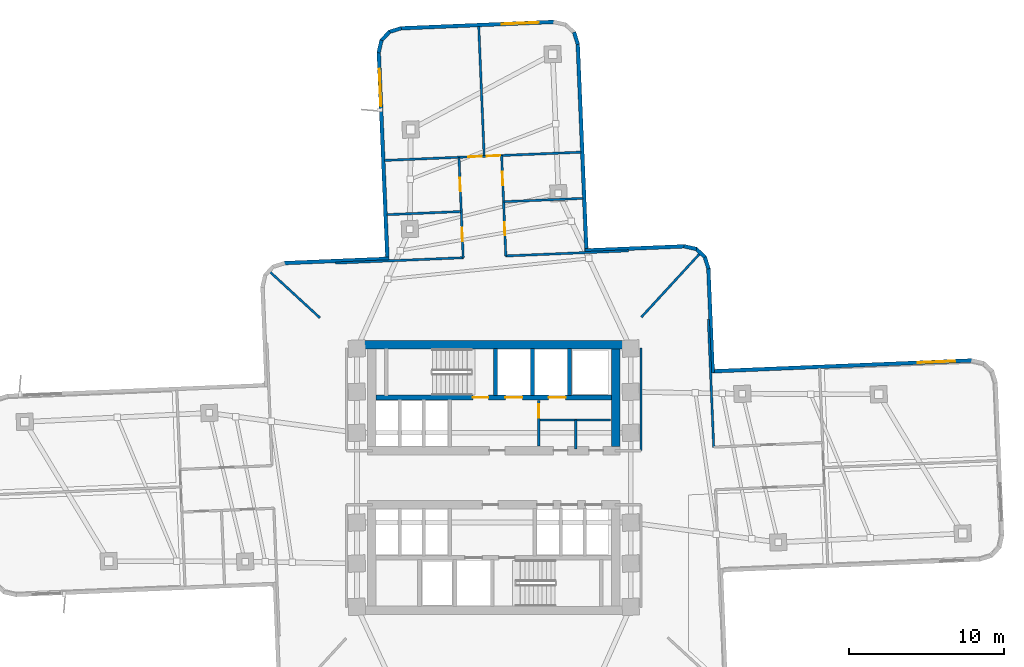
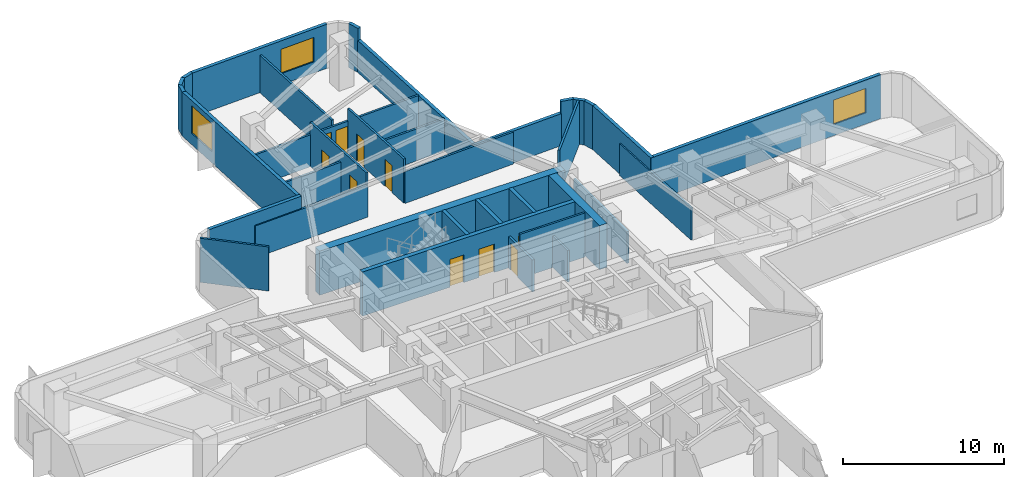
# One storey, part 5 of 10: 35 walls, 10 doors, 3 windows, 13 openings.
"""IFC4 building model written with IfcOpenShell, lengths in metres."""

from ifc_helpers import new_model, si_unit, direction, frame, frame_2d, origin, place, context, subcontext, project, spatial, rectangle, extrude, material, layer, layer_set, type_object, element, fill, save


model = new_model("IFC4")

# Units and contexts
model_context = context("Model", 3, precision=1e-05, world=origin(), true_north=direction((0.0, 1.0)))
body_context = subcontext(model_context, "Body", "Model", "MODEL_VIEW")
ifc_project = project(units=[si_unit("LENGTHUNIT", "METRE"), si_unit("AREAUNIT", "SQUARE_METRE"), si_unit("VOLUMEUNIT", "CUBIC_METRE"), si_unit("PLANEANGLEUNIT", "RADIAN"), si_unit("MASSUNIT", "GRAM", prefix="KILO")], contexts=[model_context])

# Site, building, storey
site_placement = place(None, origin())
site = spatial("IfcSite", under=ifc_project, at=site_placement, CompositionType="ELEMENT")
building_placement = place(site_placement, origin())
building = spatial("IfcBuilding", under=site, at=building_placement, Name="Solmarez Civic Tower", CompositionType="ELEMENT")
storey_placement = place(building_placement, frame((0.0, 0.0, 42.47998046875)))
storey = spatial("IfcBuildingStorey", under=building, at=storey_placement, Name="L10", CompositionType="ELEMENT", Elevation=42.47998046875)

# Walls
ifc_material_1 = material(Name="Concrete C60/75", Category="concrete")
ifc_layer_1 = layer(ifc_material_1, 0.550048828125)
ifc_layer_set_1 = layer_set([ifc_layer_1], Name="Concrete C60/75")
wall_type_1 = type_object("IfcWallType", Name="WALL-CORE-550", PredefinedType="SHEAR", material=ifc_layer_set_1)
wall_1_placement = place(storey_placement, frame((-8.780029296875, 8.5849609375, 0.0), z_axis=(0.0, 0.0, 1.0), x_axis=(1.0, 0.0, 0.0)))
element("IfcWall", 1, at=wall_1_placement, inside=storey, type_object=wall_type_1, Name="L10 Split-Core Structural Wall NCW-N-L10", PredefinedType="SHEAR", context=body_context, shape_type="SweptSolid", body=[
    extrude(rectangle(XDim=17.56005859375, YDim=0.550048828125, at=frame_2d((8.780029296875, 0.0))), origin(), (0.0, 0.0, 1.0), 3.340087890625),
])
wall_2_placement = place(storey_placement, frame((7.89501953125, 8.31005859375, 0.0), z_axis=(0.0, 0.0, 1.0), x_axis=(0.0, -1.0, 0.0)))
element("IfcWall", 2, at=wall_2_placement, inside=storey, type_object=wall_type_1, Name="L10 Split-Core Structural Wall NCW-E-L10", PredefinedType="SHEAR", context=body_context, shape_type="SweptSolid", body=[
    extrude(rectangle(XDim=6.28515625, YDim=0.550048828125, at=frame_2d((3.142578125, 0.0))), origin(), (0.0, 0.0, 1.0), 3.340087890625),
])
ifc_material_2 = material(Name="Precast concrete C40/50", Category="concrete")
ifc_layer_2 = layer(ifc_material_2, 0.239990234375)
ifc_layer_set_2 = layer_set([ifc_layer_2], Name="Precast concrete C40/50")
wall_type_2 = type_object("IfcWallType", Name="WALL-EXT-240", PredefinedType="SOLIDWALL", material=ifc_layer_set_2)
wall_3_placement = place(storey_placement, frame((-13.552001953125, 13.875, 0.0), z_axis=(0.0, 0.0, 1.0), x_axis=(0.999127443157, 0.041765444226, 0.0)))
element("IfcWall", 3, at=wall_3_placement, inside=storey, type_object=wall_type_2, Name="L10 Exterior Precast Wall 17", PredefinedType="SOLIDWALL", context=body_context, shape_type="SweptSolid", body=[
    extrude(rectangle(XDim=6.77490234375, YDim=0.239990234375, at=frame_2d((3.387451171875, 0.0))), origin(), (0.0, 0.0, 1.0), 3.340087890625),
])

# Wall, opening, window
wall_4_placement = place(storey_placement, frame((-6.875, 14.05810546875, 0.0), z_axis=(0.0, 0.0, 1.0), x_axis=(-0.041850586852, 0.999123880397, 0.0)))
wall_4 = element("IfcWall", 4, at=wall_4_placement, inside=storey, type_object=wall_type_2, Name="L10 Exterior Precast Wall 20", PredefinedType="SOLIDWALL", context=body_context, shape_type="SweptSolid", body=[
    extrude(rectangle(XDim=13.4755859375, YDim=0.239990234375, at=frame_2d((6.73779296875, 0.0))), origin(), (0.0, 0.0, 1.0), 3.340087890625),
])
opening_1_placement = place(wall_4_placement, frame((9.97607421875, 0.0, 0.85009765625)))
opening_1 = element("IfcOpeningElement", 5, at=opening_1_placement, cuts=wall_4, Name="Opening W-02", PredefinedType="OPENING", context=body_context, shape_type="SweptSolid", body=[
    extrude(rectangle(XDim=2.39990234375, YDim=2.10009765625, at=frame_2d((1.199951171875, 1.050048828125))), frame((0.0, 0.1298828125, 0.0), z_axis=(0.0, -1.0, 0.0), x_axis=(1.0, 0.0, 0.0)), (0.0, 0.0, 1.0), 0.260009765625),
])
ifc_material_3 = material(Name="Solar Control Bronze-Tinted Insulating Glass", Category="glass")
window_type_1 = type_object("IfcWindowType", Name="WIN-2400X2100", PartitioningType="SINGLE_PANEL", PredefinedType="WINDOW", material=ifc_material_3)
window_1_placement = place(opening_1_placement, origin())
window_1 = element("IfcWindow", 6, at=window_1_placement, inside=storey, type_object=window_type_1, Name="L10 Exterior Facade Window 20", OverallHeight=2.10009765625, OverallWidth=2.39990234375, PartitioningType="SINGLE_PANEL", PredefinedType="WINDOW", context=body_context, shape_type="SweptSolid", body=[
    extrude(rectangle(XDim=2.39990234375, YDim=2.10009765625, at=frame_2d((1.199951171875, 1.050048828125))), frame((0.0, 0.030029296875, 0.0), z_axis=(0.0, -1.0, 0.0), x_axis=(1.0, 0.0, 0.0)), (0.0, 0.0, 1.0), 0.06005859375),
])
fill(opening_1, window_1)

# Walls
wall_5_placement = place(storey_placement, frame((-7.443115234375, 27.472900390625, 0.0), z_axis=(0.0, 0.0, 1.0), x_axis=(0.21736704137, 0.976089939158, 0.0)))
element("IfcWall", 7, at=wall_5_placement, inside=storey, type_object=wall_type_2, Name="L10 Exterior Precast Wall 21", PredefinedType="SOLIDWALL", context=body_context, shape_type="SweptSolid", body=[
    extrude(rectangle(XDim=0.828857421875, YDim=0.239990234375, at=frame_2d((0.41455078125, 0.0))), origin(), (0.0, 0.0, 1.0), 3.340087890625),
])
wall_6_placement = place(storey_placement, frame((-7.284912109375, 28.239990234375, 0.0), z_axis=(0.0, 0.0, 1.0), x_axis=(0.676946063044, 0.73603262681, 0.0)))
element("IfcWall", 8, at=wall_6_placement, inside=storey, type_object=wall_type_2, Name="L10 Exterior Precast Wall 22", PredefinedType="SOLIDWALL", context=body_context, shape_type="SweptSolid", body=[
    extrude(rectangle(XDim=0.81396484375, YDim=0.239990234375, at=frame_2d((0.406982421875, 0.0))), origin(), (0.0, 0.0, 1.0), 3.340087890625),
])
wall_7_placement = place(storey_placement, frame((-6.77490234375, 28.81396484375, 0.0), z_axis=(0.0, 0.0, 1.0), x_axis=(0.954730695464, 0.297471509794, 0.0)))
element("IfcWall", 9, at=wall_7_placement, inside=storey, type_object=wall_type_2, Name="L10 Exterior Precast Wall 23", PredefinedType="SOLIDWALL", context=body_context, shape_type="SweptSolid", body=[
    extrude(rectangle(XDim=0.83056640625, YDim=0.239990234375, at=frame_2d((0.415283203125, 0.0))), origin(), (0.0, 0.0, 1.0), 3.340087890625),
])

# Wall, opening, window
wall_8_placement = place(storey_placement, frame((-6.031005859375, 29.052978515625, 0.0), z_axis=(0.0, 0.0, 1.0), x_axis=(0.999123553269, 0.041858395859, 0.0)))
wall_8 = element("IfcWall", 10, at=wall_8_placement, inside=storey, type_object=wall_type_2, Name="L10 Exterior Precast Wall 24", PredefinedType="SOLIDWALL", context=body_context, shape_type="SweptSolid", body=[
    extrude(rectangle(XDim=9.938720703125, YDim=0.239990234375, at=frame_2d((4.96923828125, 0.0))), origin(), (0.0, 0.0, 1.0), 3.340087890625),
])
opening_2_placement = place(wall_8_placement, frame((6.552001953125, 0.0, 0.85009765625)))
opening_2 = element("IfcOpeningElement", 11, at=opening_2_placement, cuts=wall_8, Name="Opening W-06", PredefinedType="OPENING", context=body_context, shape_type="SweptSolid", body=[
    extrude(rectangle(XDim=2.39990234375, YDim=1.85009765625, at=frame_2d((1.199951171875, 0.925048828125))), frame((0.0, 0.1298828125, 0.0), z_axis=(0.0, -1.0, 0.0), x_axis=(1.0, 0.0, 0.0)), (0.0, 0.0, 1.0), 0.260009765625),
])
window_type_2 = type_object("IfcWindowType", Name="WIN-2400X1850", PartitioningType="SINGLE_PANEL", PredefinedType="WINDOW", material=ifc_material_3)
window_2_placement = place(opening_2_placement, origin())
window_2 = element("IfcWindow", 12, at=window_2_placement, inside=storey, type_object=window_type_2, Name="L10 Exterior Facade Window 24", OverallHeight=1.85009765625, OverallWidth=2.39990234375, PartitioningType="SINGLE_PANEL", PredefinedType="WINDOW", context=body_context, shape_type="SweptSolid", body=[
    extrude(rectangle(XDim=2.39990234375, YDim=1.85009765625, at=frame_2d((1.199951171875, 0.925048828125))), frame((0.0, 0.030029296875, 0.0), z_axis=(0.0, -1.0, 0.0), x_axis=(1.0, 0.0, 0.0)), (0.0, 0.0, 1.0), 0.06005859375),
])
fill(opening_2, window_2)

# Walls
wall_9_placement = place(storey_placement, frame((5.18994140625, 28.804931640625, 0.0), z_axis=(0.0, 0.0, 1.0), x_axis=(0.298542680168, -0.954396284631, 0.0)))
element("IfcWall", 13, at=wall_9_placement, inside=storey, type_object=wall_type_2, Name="L10 Exterior Precast Wall 27", PredefinedType="SOLIDWALL", context=body_context, shape_type="SweptSolid", body=[
    extrude(rectangle(XDim=0.830810546875, YDim=0.239990234375, at=frame_2d((0.41552734375, 0.0))), origin(), (0.0, 0.0, 1.0), 3.340087890625),
])
wall_10_placement = place(storey_placement, frame((5.429931640625, 28.06103515625, 0.0), z_axis=(0.0, 0.0, 1.0), x_axis=(0.041852859621, -0.999123785195, 0.0)))
element("IfcWall", 14, at=wall_10_placement, inside=storey, type_object=wall_type_2, Name="L10 Exterior Precast Wall 28", PredefinedType="SOLIDWALL", context=body_context, shape_type="SweptSolid", body=[
    extrude(rectangle(XDim=13.474853515625, YDim=0.239990234375, at=frame_2d((6.7373046875, 0.0))), origin(), (0.0, 0.0, 1.0), 2.4208984375),
])
wall_11_placement = place(storey_placement, frame((5.89404296875, 14.68994140625, 0.0), z_axis=(0.0, 0.0, 1.0), x_axis=(0.999124860845, 0.041827173477, 0.0)))
element("IfcWall", 15, at=wall_11_placement, inside=storey, type_object=wall_type_2, Name="L10 Exterior Precast Wall 31", PredefinedType="SOLIDWALL", context=body_context, shape_type="SweptSolid", body=[
    extrude(rectangle(XDim=6.45556640625, YDim=0.239990234375, at=frame_2d((3.227783203125, 0.0))), origin(), (0.0, 0.0, 1.0), 2.4208984375),
])
wall_12_placement = place(storey_placement, frame((12.294921875, 14.964111328125, 0.0), z_axis=(0.0, 0.0, 1.0), x_axis=(0.976089939158, -0.21736704137, 0.0)))
element("IfcWall", 16, at=wall_12_placement, inside=storey, type_object=wall_type_2, Name="L10 Exterior Precast Wall 32", PredefinedType="SOLIDWALL", context=body_context, shape_type="SweptSolid", body=[
    extrude(rectangle(XDim=0.828857421875, YDim=0.239990234375, at=frame_2d((0.41455078125, 0.0))), origin(), (0.0, 0.0, 1.0), 3.340087890625),
])
wall_13_placement = place(storey_placement, frame((13.06201171875, 14.805908203125, 0.0), z_axis=(0.0, 0.0, 1.0), x_axis=(0.735344259965, -0.677693750404, 0.0)))
element("IfcWall", 17, at=wall_13_placement, inside=storey, type_object=wall_type_2, Name="L10 Exterior Precast Wall 33", PredefinedType="SOLIDWALL", context=body_context, shape_type="SweptSolid", body=[
    extrude(rectangle(XDim=0.81298828125, YDim=0.239990234375, at=frame_2d((0.406494140625, 0.0))), origin(), (0.0, 0.0, 1.0), 3.340087890625),
])
wall_14_placement = place(storey_placement, frame((13.635009765625, 14.2958984375, 0.0), z_axis=(0.0, 0.0, 1.0), x_axis=(0.298542680168, -0.954396284631, 0.0)))
element("IfcWall", 18, at=wall_14_placement, inside=storey, type_object=wall_type_2, Name="L10 Exterior Precast Wall 34", PredefinedType="SOLIDWALL", context=body_context, shape_type="SweptSolid", body=[
    extrude(rectangle(XDim=0.830810546875, YDim=0.239990234375, at=frame_2d((0.41552734375, 0.0))), origin(), (0.0, 0.0, 1.0), 3.340087890625),
])
wall_15_placement = place(storey_placement, frame((13.875, 13.552001953125, 0.0), z_axis=(0.0, 0.0, 1.0), x_axis=(0.041765444226, -0.999127443157, 0.0)))
element("IfcWall", 19, at=wall_15_placement, inside=storey, type_object=wall_type_2, Name="L10 Exterior Precast Wall 35", PredefinedType="SOLIDWALL", context=body_context, shape_type="SweptSolid", body=[
    extrude(rectangle(XDim=6.77490234375, YDim=0.239990234375, at=frame_2d((3.387451171875, 0.0))), origin(), (0.0, 0.0, 1.0), 3.340087890625),
])

# Wall, opening, window
wall_16_placement = place(storey_placement, frame((14.05810546875, 6.875, 0.0), z_axis=(0.0, 0.0, 1.0), x_axis=(0.999124376175, 0.04183874918, 0.0)))
wall_16 = element("IfcWall", 20, at=wall_16_placement, inside=storey, type_object=wall_type_2, Name="L10 Exterior Precast Wall 38", PredefinedType="SOLIDWALL", context=body_context, shape_type="SweptSolid", body=[
    extrude(rectangle(XDim=16.875732421875, YDim=0.239990234375, at=frame_2d((8.43798828125, 0.0))), origin(), (0.0, 0.0, 1.0), 3.340087890625),
])
opening_3_placement = place(wall_16_placement, frame((13.3759765625, 0.0, 0.85009765625)))
opening_3 = element("IfcOpeningElement", 21, at=opening_3_placement, cuts=wall_16, Name="Opening W-06", PredefinedType="OPENING", context=body_context, shape_type="SweptSolid", body=[
    extrude(rectangle(XDim=2.39990234375, YDim=1.85009765625, at=frame_2d((1.199951171875, 0.925048828125))), frame((0.0, 0.1298828125, 0.0), z_axis=(0.0, -1.0, 0.0), x_axis=(1.0, 0.0, 0.0)), (0.0, 0.0, 1.0), 0.260009765625),
])
window_3_placement = place(opening_3_placement, origin())
window_3 = element("IfcWindow", 22, at=window_3_placement, inside=storey, type_object=window_type_2, Name="L10 Exterior Facade Window 38", OverallHeight=1.85009765625, OverallWidth=2.39990234375, PartitioningType="SINGLE_PANEL", PredefinedType="WINDOW", context=body_context, shape_type="SweptSolid", body=[
    extrude(rectangle(XDim=2.39990234375, YDim=1.85009765625, at=frame_2d((1.199951171875, 0.925048828125))), frame((0.0, 0.030029296875, 0.0), z_axis=(0.0, -1.0, 0.0), x_axis=(1.0, 0.0, 0.0)), (0.0, 0.0, 1.0), 0.06005859375),
])
fill(opening_3, window_3)

# Walls
ifc_material_4 = material(Name="Gypsum Board Acoustic Steel-Stud Partition", Category="steel")
ifc_layer_3 = layer(ifc_material_4, 0.14990234375)
ifc_layer_set_3 = layer_set([ifc_layer_3], Name="Gypsum Board Acoustic Steel-Stud Partition")
wall_type_3 = type_object("IfcWallType", Name="WALL-INT-FIRE-150", PredefinedType="PARTITIONING", material=ifc_layer_set_3)
wall_17_placement = place(storey_placement, frame((9.52001953125, 1.75, 0.0), z_axis=(0.0, 0.0, 1.0), x_axis=(0.0, 1.0, 0.0)))
element("IfcWall", 23, at=wall_17_placement, inside=storey, type_object=wall_type_3, Name="L10 Interior Partition CHW-L10-EN1", PredefinedType="PARTITIONING", context=body_context, shape_type="SweptSolid", body=[
    extrude(rectangle(XDim=6.6298828125, YDim=0.14990234375, at=frame_2d((3.31494140625, 0.0))), origin(), (0.0, 0.0, 1.0), 2.4208984375),
])
ifc_layer_4 = layer(ifc_material_4, 0.14501953125)
ifc_layer_set_4 = layer_set([ifc_layer_4], Name="Gypsum Board Acoustic Steel-Stud Partition")
wall_type_4 = type_object("IfcWallType", Name="WALL-INT-PART-150", PredefinedType="PARTITIONING", material=ifc_layer_set_4)
wall_18_placement = place(storey_placement, frame((9.5439453125, 10.3798828125, 0.0), z_axis=(0.0, 0.0, 1.0), x_axis=(0.676856513188, 0.736114977809, 0.0)))
element("IfcWall", 24, at=wall_18_placement, inside=storey, type_object=wall_type_4, Name="L10 Interior Partition PT-L10-QDIV-1", PredefinedType="PARTITIONING", context=body_context, shape_type="SweptSolid", body=[
    extrude(rectangle(XDim=5.5537109375, YDim=0.14501953125, at=frame_2d((2.77685546875, 0.0))), origin(), (0.0, 0.0, 1.0), 3.340087890625),
])
wall_19_placement = place(storey_placement, frame((-11.2451171875, 10.340087890625, 0.0), z_axis=(0.0, 0.0, 1.0), x_axis=(-0.736178820698, 0.676787074312, 0.0)))
element("IfcWall", 25, at=wall_19_placement, inside=storey, type_object=wall_type_4, Name="L10 Interior Partition PT-L10-QDIV-2", PredefinedType="PARTITIONING", context=body_context, shape_type="SweptSolid", body=[
    extrude(rectangle(XDim=4.3779296875, YDim=0.14501953125, at=frame_2d((2.18896484375, 0.0))), origin(), (0.0, 0.0, 1.0), 3.340087890625),
])
for number, where, z_axis, x_axis, name in (
    (26, (14.219970703125, 1.967041015625, 0.0), (0.0, 0.0, 1.0), (-0.041948565382, 0.99911977153, 0.0), "L10 Interior Partition PT-L10-E-EFL"),
    (27, (-1.967041015625, 14.219970703125, 0.0), (0.0, 0.0, 1.0), (-0.99911977153, -0.041948565382, 0.0), "L10 Interior Partition PT-L10-N-EFL"),
):
    element("IfcWall", number, at=place(storey_placement, frame(where, z_axis=z_axis, x_axis=x_axis)), inside=storey, type_object=wall_type_4, Name=name, PredefinedType="PARTITIONING", context=body_context, shape_type="SweptSolid", body=[
        extrude(rectangle(XDim=8.270263671875, YDim=0.14501953125, at=frame_2d((4.13525390625, 0.0))), origin(), (0.0, 0.0, 1.0), 2.4208984375),
    ])
wall_20_placement = place(storey_placement, frame((8.714111328125, 14.66796875, 0.0), z_axis=(0.0, 0.0, 1.0), x_axis=(-0.999122557945, -0.041882146625, 0.0)))
element("IfcWall", 28, at=wall_20_placement, inside=storey, type_object=wall_type_4, Name="L10 Interior Partition PT-L10-N-EFR", PredefinedType="PARTITIONING", context=body_context, shape_type="SweptSolid", body=[
    extrude(rectangle(XDim=7.951171875, YDim=0.14501953125, at=frame_2d((3.9755859375, 0.0))), origin(), (0.0, 0.0, 1.0), 2.4208984375),
])
wall_21_placement = place(storey_placement, frame((-2.1220703125, 17.2060546875, 0.0), z_axis=(0.0, 0.0, 1.0), x_axis=(-0.999119609111, -0.041952433648, 0.0)))
element("IfcWall", 29, at=wall_21_placement, inside=storey, type_object=wall_type_4, Name="L10 Interior Partition PT-L10-N-LM", PredefinedType="PARTITIONING", context=body_context, shape_type="SweptSolid", body=[
    extrude(rectangle(XDim=4.795166015625, YDim=0.14501953125, at=frame_2d((2.3974609375, 0.0))), origin(), (0.0, 0.0, 1.0), 2.4208984375),
])
wall_22_placement = place(storey_placement, frame((5.763916015625, 18.056884765625, 0.0), z_axis=(0.0, 0.0, 1.0), x_axis=(-0.999125612634, -0.041809211649, 0.0)))
element("IfcWall", 30, at=wall_22_placement, inside=storey, type_object=wall_type_4, Name="L10 Interior Partition PT-L10-N-RM", PredefinedType="PARTITIONING", context=body_context, shape_type="SweptSolid", body=[
    extrude(rectangle(XDim=5.115234375, YDim=0.14501953125, at=frame_2d((2.5576171875, 0.0))), origin(), (0.0, 0.0, 1.0), 2.4208984375),
])

# Wall, openings, doors
wall_23_placement = place(storey_placement, frame((-2.2490234375, 20.714111328125, 0.0), z_axis=(0.0, 0.0, 1.0), x_axis=(0.041843020894, -0.999124197286, 0.0)))
wall_23 = element("IfcWall", 31, at=wall_23_placement, inside=storey, type_object=wall_type_4, Name="L10 Interior Partition PT-L10-N-SL", PredefinedType="PARTITIONING", context=body_context, shape_type="SweptSolid", body=[
    extrude(rectangle(XDim=6.499755859375, YDim=0.14501953125, at=frame_2d((3.25, 0.0))), origin(), (0.0, 0.0, 1.0), 3.340087890625),
])
opening_4_placement = place(wall_23_placement, frame((4.574951171875, 0.0, 0.0)))
opening_4 = element("IfcOpeningElement", 32, at=opening_4_placement, cuts=wall_23, Name="Opening D-14", PredefinedType="OPENING", context=body_context, shape_type="SweptSolid", body=[
    extrude(rectangle(XDim=0.860107421875, YDim=2.0400390625, at=frame_2d((0.43017578125, 1.02001953125))), frame((0.0, 0.08251953125, 0.0), z_axis=(0.0, -1.0, 0.0), x_axis=(1.0, 0.0, 0.0)), (0.0, 0.0, 1.0), 0.1650390625),
])
opening_5_placement = place(wall_23_placement, frame((1.324951171875, 0.0, 0.0)))
opening_5 = element("IfcOpeningElement", 33, at=opening_5_placement, cuts=wall_23, Name="Opening D-14", PredefinedType="OPENING", context=body_context, shape_type="SweptSolid", body=[
    extrude(rectangle(XDim=0.860107421875, YDim=2.0400390625, at=frame_2d((0.43017578125, 1.02001953125))), frame((0.0, 0.08251953125, 0.0), z_axis=(0.0, -1.0, 0.0), x_axis=(1.0, 0.0, 0.0)), (0.0, 0.0, 1.0), 0.1650390625),
])
ifc_material_5 = material(Name="Timber Storage and Pantry Door", Category="wood")
door_type_1 = type_object("IfcDoorType", Name="DOOR-INT-850", OperationType="NOTDEFINED", PredefinedType="DOOR", material=ifc_material_5)
door_1_placement = place(opening_4_placement, origin())
door_1 = element("IfcDoor", 34, at=door_1_placement, inside=storey, type_object=door_type_1, Name="L10 Policy Administration Office First North Door", OperationType="SINGLE_SWING_LEFT", OverallHeight=2.0400390625, OverallWidth=0.860107421875, PredefinedType="DOOR", context=body_context, shape_type="SweptSolid", body=[
    extrude(rectangle(XDim=0.860107421875, YDim=2.0400390625, at=frame_2d((0.43017578125, 1.02001953125))), frame((0.0, 0.02490234375, 0.0), z_axis=(0.0, -1.0, 0.0), x_axis=(1.0, 0.0, 0.0)), (0.0, 0.0, 1.0), 0.050048828125),
])
fill(opening_4, door_1)
door_2_placement = place(opening_5_placement, origin())
door_2 = element("IfcDoor", 35, at=door_2_placement, inside=storey, type_object=door_type_1, Name="L10 Directorate Office Second North Door", OperationType="SINGLE_SWING_RIGHT", OverallHeight=2.0400390625, OverallWidth=0.860107421875, PredefinedType="DOOR", context=body_context, shape_type="SweptSolid", body=[
    extrude(rectangle(XDim=0.860107421875, YDim=2.0400390625, at=frame_2d((0.43017578125, 1.02001953125))), frame((0.0, 0.02490234375, 0.0), z_axis=(0.0, -1.0, 0.0), x_axis=(1.0, 0.0, 0.0)), (0.0, 0.0, 1.0), 0.050048828125),
])
fill(opening_5, door_2)

wall_24_placement = place(storey_placement, frame((0.780029296875, 14.3349609375, 0.0), z_axis=(0.0, 0.0, 1.0), x_axis=(-0.041836740669, 0.99912446028, 0.0)))
wall_24 = element("IfcWall", 36, at=wall_24_placement, inside=storey, type_object=wall_type_4, Name="L10 Interior Partition PT-L10-N-SR", PredefinedType="PARTITIONING", context=body_context, shape_type="SweptSolid", body=[
    extrude(rectangle(XDim=6.500732421875, YDim=0.14501953125, at=frame_2d((3.25048828125, 0.0))), origin(), (0.0, 0.0, 1.0), 3.340087890625),
])
opening_6_placement = place(wall_24_placement, frame((1.324951171875, 0.0, 0.0)))
opening_6 = element("IfcOpeningElement", 37, at=opening_6_placement, cuts=wall_24, Name="Opening D-14", PredefinedType="OPENING", context=body_context, shape_type="SweptSolid", body=[
    extrude(rectangle(XDim=0.860107421875, YDim=2.0400390625, at=frame_2d((0.43017578125, 1.02001953125))), frame((0.0, 0.08251953125, 0.0), z_axis=(0.0, -1.0, 0.0), x_axis=(1.0, 0.0, 0.0)), (0.0, 0.0, 1.0), 0.1650390625),
])
opening_7_placement = place(wall_24_placement, frame((4.574951171875, 0.0, 0.0)))
opening_7 = element("IfcOpeningElement", 38, at=opening_7_placement, cuts=wall_24, Name="Opening D-14", PredefinedType="OPENING", context=body_context, shape_type="SweptSolid", body=[
    extrude(rectangle(XDim=0.860107421875, YDim=2.0400390625, at=frame_2d((0.43017578125, 1.02001953125))), frame((0.0, 0.08251953125, 0.0), z_axis=(0.0, -1.0, 0.0), x_axis=(1.0, 0.0, 0.0)), (0.0, 0.0, 1.0), 0.1650390625),
])
door_3_placement = place(opening_6_placement, origin())
door_3 = element("IfcDoor", 39, at=door_3_placement, inside=storey, type_object=door_type_1, Name="L10 Legal Counselling Room Third North Door", OperationType="SINGLE_SWING_RIGHT", OverallHeight=2.0400390625, OverallWidth=0.860107421875, PredefinedType="DOOR", context=body_context, shape_type="SweptSolid", body=[
    extrude(rectangle(XDim=0.860107421875, YDim=2.0400390625, at=frame_2d((0.43017578125, 1.02001953125))), frame((0.0, 0.02490234375, 0.0), z_axis=(0.0, -1.0, 0.0), x_axis=(1.0, 0.0, 0.0)), (0.0, 0.0, 1.0), 0.050048828125),
])
fill(opening_6, door_3)
door_4_placement = place(opening_7_placement, origin())
door_4 = element("IfcDoor", 40, at=door_4_placement, inside=storey, type_object=door_type_1, Name="L10 Citizen Consultation Room Fourth North Door", OperationType="SINGLE_SWING_LEFT", OverallHeight=2.0400390625, OverallWidth=0.860107421875, PredefinedType="DOOR", context=body_context, shape_type="SweptSolid", body=[
    extrude(rectangle(XDim=0.860107421875, YDim=2.0400390625, at=frame_2d((0.43017578125, 1.02001953125))), frame((0.0, 0.02490234375, 0.0), z_axis=(0.0, -1.0, 0.0), x_axis=(1.0, 0.0, 0.0)), (0.0, 0.0, 1.0), 0.050048828125),
])
fill(opening_7, door_4)

# Wall
wall_25_placement = place(storey_placement, frame((-0.623046875, 20.842041015625, 0.0), z_axis=(0.0, 0.0, 1.0), x_axis=(-0.041805771438, 0.999125756586, 0.0)))
element("IfcWall", 41, at=wall_25_placement, inside=storey, type_object=wall_type_4, Name="L10 Interior Partition PT-L10-N-TM", PredefinedType="PARTITIONING", context=body_context, shape_type="SweptSolid", body=[
    extrude(rectangle(XDim=8.34521484375, YDim=0.14501953125, at=frame_2d((4.172607421875, 0.0))), origin(), (0.0, 0.0, 1.0), 2.83203125),
])

# Wall, openings, doors
wall_26_placement = place(storey_placement, frame((-7.06005859375, 20.511962890625, 0.0), z_axis=(0.0, 0.0, 1.0), x_axis=(0.99912047737, 0.041931750497, 0.0)))
wall_26 = element("IfcWall", 42, at=wall_26_placement, inside=storey, type_object=wall_type_4, Name="L10 Interior Partition PT-L10-N-END", PredefinedType="PARTITIONING", context=body_context, shape_type="SweptSolid", body=[
    extrude(rectangle(XDim=12.710205078125, YDim=0.14501953125, at=frame_2d((6.35498046875, 0.0))), origin(), (0.0, 0.0, 1.0), 2.4208984375),
])
opening_8_placement = place(wall_26_placement, frame((6.614990234375, 0.0, 0.0)))
opening_8 = element("IfcOpeningElement", 43, at=opening_8_placement, cuts=wall_26, Name="Opening D-14", PredefinedType="OPENING", context=body_context, shape_type="SweptSolid", body=[
    extrude(rectangle(XDim=0.860107421875, YDim=2.0400390625, at=frame_2d((0.43017578125, 1.02001953125))), frame((0.0, 0.08251953125, 0.0), z_axis=(0.0, -1.0, 0.0), x_axis=(1.0, 0.0, 0.0)), (0.0, 0.0, 1.0), 0.1650390625),
])
opening_9_placement = place(wall_26_placement, frame((5.4150390625, 0.0, 0.0)))
opening_9 = element("IfcOpeningElement", 44, at=opening_9_placement, cuts=wall_26, Name="Opening D-14", PredefinedType="OPENING", context=body_context, shape_type="SweptSolid", body=[
    extrude(rectangle(XDim=0.860107421875, YDim=2.0400390625, at=frame_2d((0.43017578125, 1.02001953125))), frame((0.0, 0.08251953125, 0.0), z_axis=(0.0, -1.0, 0.0), x_axis=(1.0, 0.0, 0.0)), (0.0, 0.0, 1.0), 0.1650390625),
])
door_5_placement = place(opening_8_placement, origin())
door_5 = element("IfcDoor", 45, at=door_5_placement, inside=storey, type_object=door_type_1, Name="L10 Citizen Consultation Room Sixth North Door", OperationType="SINGLE_SWING_RIGHT", OverallHeight=2.0400390625, OverallWidth=0.860107421875, PredefinedType="DOOR", context=body_context, shape_type="SweptSolid", body=[
    extrude(rectangle(XDim=0.860107421875, YDim=2.0400390625, at=frame_2d((0.43017578125, 1.02001953125))), frame((0.0, 0.02490234375, 0.0), z_axis=(0.0, -1.0, 0.0), x_axis=(1.0, 0.0, 0.0)), (0.0, 0.0, 1.0), 0.050048828125),
])
fill(opening_8, door_5)
door_6_placement = place(opening_9_placement, origin())
door_6 = element("IfcDoor", 46, at=door_6_placement, inside=storey, type_object=door_type_1, Name="L10 Legal Counselling Room Fifth North Door", OperationType="SINGLE_SWING_LEFT", OverallHeight=2.0400390625, OverallWidth=0.860107421875, PredefinedType="DOOR", context=body_context, shape_type="SweptSolid", body=[
    extrude(rectangle(XDim=0.860107421875, YDim=2.0400390625, at=frame_2d((0.43017578125, 1.02001953125))), frame((0.0, 0.02490234375, 0.0), z_axis=(0.0, -1.0, 0.0), x_axis=(1.0, 0.0, 0.0)), (0.0, 0.0, 1.0), 0.050048828125),
])
fill(opening_9, door_6)

# Wall, opening, door
ifc_layer_5 = layer(ifc_material_4, 0.159912109375)
ifc_layer_set_5 = layer_set([ifc_layer_5], Name="Gypsum Board Acoustic Steel-Stud Partition")
wall_type_5 = type_object("IfcWallType", Name="WALL-INT-SHAFT-160", PredefinedType="PARTITIONING", material=ifc_layer_set_5)
wall_27_placement = place(storey_placement, frame((2.89990234375, 2.0400390625, 0.0), z_axis=(0.0, 0.0, 1.0), x_axis=(0.0, 1.0, 0.0)))
wall_27 = element("IfcWall", 47, at=wall_27_placement, inside=storey, type_object=wall_type_5, Name="L10 Interior Partition SHW-NL2-L10", PredefinedType="PARTITIONING", context=body_context, shape_type="SweptSolid", body=[
    extrude(rectangle(XDim=2.93994140625, YDim=0.159912109375, at=frame_2d((1.469970703125, 0.0))), origin(), (0.0, 0.0, 1.0), 2.405029296875),
])
opening_10_placement = place(wall_27_placement, frame((1.820068359375, 0.0, 0.0)))
opening_10 = element("IfcOpeningElement", 48, at=opening_10_placement, cuts=wall_27, Name="Opening D-09", PredefinedType="OPENING", context=body_context, shape_type="SweptSolid", body=[
    extrude(rectangle(XDim=0.89990234375, YDim=2.06005859375, at=frame_2d((0.449951171875, 1.030029296875))), frame((0.0, 0.08984375, 0.0), z_axis=(0.0, -1.0, 0.0), x_axis=(1.0, 0.0, 0.0)), (0.0, 0.0, 1.0), 0.179931640625),
])
ifc_material_6 = material(Name="Fire-Rated Service Core Door", Category="wood")
door_type_2 = type_object("IfcDoorType", Name="DOOR-FD60-900", OperationType="NOTDEFINED", PredefinedType="DOOR", material=ifc_material_6)
door_7_placement = place(opening_10_placement, origin())
door_7 = element("IfcDoor", 49, at=door_7_placement, inside=storey, type_object=door_type_2, Name="L10 Service Lift Lobby Door", OperationType="SINGLE_SWING_LEFT", OverallHeight=2.06005859375, OverallWidth=0.89990234375, PredefinedType="DOOR", context=body_context, shape_type="SweptSolid", body=[
    extrude(rectangle(XDim=0.89990234375, YDim=2.06005859375, at=frame_2d((0.449951171875, 1.030029296875))), frame((0.0, 0.02490234375, 0.0), z_axis=(0.0, -1.0, 0.0), x_axis=(1.0, 0.0, 0.0)), (0.0, 0.0, 1.0), 0.050048828125),
])
fill(opening_10, door_7)

# Walls
ifc_layer_6 = layer(ifc_material_4, 0.137939453125)
ifc_layer_set_6 = layer_set([ifc_layer_6], Name="Gypsum Board Acoustic Steel-Stud Partition")
wall_type_6 = type_object("IfcWallType", Name="WALL-INT-WET-140", PredefinedType="PARTITIONING", material=ifc_layer_set_6)
wall_28_placement = place(storey_placement, frame((2.89990234375, 3.739990234375, 0.0), z_axis=(0.0, 0.0, 1.0), x_axis=(1.0, 0.0, 0.0)))
element("IfcWall", 50, at=wall_28_placement, inside=storey, type_object=wall_type_6, Name="L10 Interior Partition SHW-SVH-L10", PredefinedType="PARTITIONING", context=body_context, shape_type="SweptSolid", body=[
    extrude(rectangle(XDim=4.650146484375, YDim=0.137939453125, at=frame_2d((2.3251953125, 0.0))), origin(), (0.0, 0.0, 1.0), 3.340087890625),
])
wall_29_placement = place(storey_placement, frame((5.300048828125, 1.85009765625, 0.0), z_axis=(0.0, 0.0, 1.0), x_axis=(0.0, 1.0, 0.0)))
element("IfcWall", 51, at=wall_29_placement, inside=storey, type_object=wall_type_6, Name="L10 Interior Partition PT-NCSV-L10", PredefinedType="PARTITIONING", context=body_context, shape_type="SweptSolid", body=[
    extrude(rectangle(XDim=1.889892578125, YDim=0.137939453125, at=frame_2d((0.94482421875, 0.0))), origin(), (0.0, 0.0, 1.0), 2.405029296875),
])

# Wall, openings, doors
ifc_material_7 = material(Name="Concrete C50/60", Category="concrete")
ifc_layer_7 = layer(ifc_material_7, 0.300048828125)
ifc_layer_set_7 = layer_set([ifc_layer_7], Name="Concrete C50/60")
wall_type_7 = type_object("IfcWallType", Name="WALL-STR-300", PredefinedType="SOLIDWALL", material=ifc_layer_set_7)
wall_30_placement = place(storey_placement, frame((7.6201171875, 5.179931640625, 0.0), z_axis=(0.0, 0.0, 1.0), x_axis=(-1.0, 0.0, 0.0)))
wall_30 = element("IfcWall", 52, at=wall_30_placement, inside=storey, type_object=wall_type_7, Name="L10 Split-Core Structural Wall NCW-M-L10", PredefinedType="SOLIDWALL", context=body_context, shape_type="SweptSolid", body=[
    extrude(rectangle(XDim=15.240234375, YDim=0.300048828125, at=frame_2d((7.6201171875, 0.0))), origin(), (0.0, 0.0, 1.0), 3.340087890625),
])
opening_11_placement = place(wall_30_placement, frame((5.77001953125, 0.0, 0.0)))
opening_11 = element("IfcOpeningElement", 53, at=opening_11_placement, cuts=wall_30, Name="Opening LD-02", PredefinedType="OPENING", context=body_context, shape_type="SweptSolid", body=[
    extrude(rectangle(XDim=1.10009765625, YDim=2.14990234375, at=frame_2d((0.550048828125, 1.074951171875))), frame((0.0, 0.159912109375, 0.0), z_axis=(0.0, -1.0, 0.0), x_axis=(1.0, 0.0, 0.0)), (0.0, 0.0, 1.0), 0.320068359375),
])
opening_12_placement = place(wall_30_placement, frame((2.969970703125, 0.0, 0.0)))
opening_12 = element("IfcOpeningElement", 54, at=opening_12_placement, cuts=wall_30, Name="Opening LD-03", PredefinedType="OPENING", context=body_context, shape_type="SweptSolid", body=[
    extrude(rectangle(XDim=1.10009765625, YDim=2.14990234375, at=frame_2d((0.550048828125, 1.074951171875))), frame((0.0, 0.159912109375, 0.0), z_axis=(0.0, -1.0, 0.0), x_axis=(1.0, 0.0, 0.0)), (0.0, 0.0, 1.0), 0.320068359375),
])
opening_13_placement = place(wall_30_placement, frame((7.969970703125, 0.0, 0.0)))
opening_13 = element("IfcOpeningElement", 55, at=opening_13_placement, cuts=wall_30, Name="Opening D-05", PredefinedType="OPENING", context=body_context, shape_type="SweptSolid", body=[
    extrude(rectangle(XDim=1.0, YDim=2.10009765625, at=frame_2d((0.5, 1.050048828125))), frame((0.0, 0.159912109375, 0.0), z_axis=(0.0, -1.0, 0.0), x_axis=(1.0, 0.0, 0.0)), (0.0, 0.0, 1.0), 0.320068359375),
])
ifc_material_8 = material(Name="Fire-Rated Stairwell Exit Door", Category="wood")
door_type_3 = type_object("IfcDoorType", Name="DOOR-FD90-1000", OperationType="NOTDEFINED", PredefinedType="DOOR", material=ifc_material_8)
door_8_placement = place(opening_13_placement, origin())
door_8 = element("IfcDoor", 56, at=door_8_placement, inside=storey, type_object=door_type_3, Name="L10 North Exit Stair Door ST-1", OperationType="SINGLE_SWING_LEFT", OverallHeight=2.10009765625, OverallWidth=1.0, PredefinedType="DOOR", context=body_context, shape_type="SweptSolid", body=[
    extrude(rectangle(XDim=1.0, YDim=2.10009765625, at=frame_2d((0.5, 1.050048828125))), frame((0.0, 0.02490234375, 0.0), z_axis=(0.0, -1.0, 0.0), x_axis=(1.0, 0.0, 0.0)), (0.0, 0.0, 1.0), 0.050048828125),
])
fill(opening_13, door_8)
ifc_material_9 = material(Name="Stainless Firefighting Lift Landing Sliding Door", Category="aluminium")
door_type_4 = type_object("IfcDoorType", Name="DOOR-LD-FF-1100", OperationType="DOUBLE_DOOR_SLIDING", PredefinedType="DOOR", material=ifc_material_9)
door_9_placement = place(opening_11_placement, origin())
door_9 = element("IfcDoor", 57, at=door_9_placement, inside=storey, type_object=door_type_4, Name="L10 Firefighting Lift Landing Door FFL-1", OperationType="DOUBLE_DOOR_SLIDING", OverallHeight=2.14990234375, OverallWidth=1.10009765625, PredefinedType="DOOR", context=body_context, shape_type="SweptSolid", body=[
    extrude(rectangle(XDim=1.10009765625, YDim=2.14990234375, at=frame_2d((0.550048828125, 1.074951171875))), frame((0.0, 0.02490234375, 0.0), z_axis=(0.0, -1.0, 0.0), x_axis=(1.0, 0.0, 0.0)), (0.0, 0.0, 1.0), 0.050048828125),
])
fill(opening_11, door_9)
ifc_material_10 = material(Name="Stainless Stretcher Lift Landing Sliding Door", Category="aluminium")
door_type_5 = type_object("IfcDoorType", Name="DOOR-LD-SV-1100", OperationType="DOUBLE_DOOR_SLIDING", PredefinedType="DOOR", material=ifc_material_10)
door_10_placement = place(opening_12_placement, origin())
door_10 = element("IfcDoor", 58, at=door_10_placement, inside=storey, type_object=door_type_5, Name="L10 Service Stretcher Lift Landing Door SVL-1", OperationType="DOUBLE_DOOR_SLIDING", OverallHeight=2.14990234375, OverallWidth=1.10009765625, PredefinedType="DOOR", context=body_context, shape_type="SweptSolid", body=[
    extrude(rectangle(XDim=1.10009765625, YDim=2.14990234375, at=frame_2d((0.550048828125, 1.074951171875))), frame((0.0, 0.02490234375, 0.0), z_axis=(0.0, -1.0, 0.0), x_axis=(1.0, 0.0, 0.0)), (0.0, 0.0, 1.0), 0.050048828125),
])
fill(opening_12, door_10)

# Walls
for number, where, z_axis, x_axis, name in (
    (59, (0.10009765625, 5.300048828125, 0.0), (0.0, 0.0, 1.0), (0.0, 1.0, 0.0), "L10 Split-Core Structural Wall SHW-N1-L10"),
    (60, (2.5, 5.300048828125, 0.0), (0.0, 0.0, 1.0), (0.0, 1.0, 0.0), "L10 Split-Core Structural Wall SHW-N2-L10"),
    (61, (4.89990234375, 5.300048828125, 0.0), (0.0, 0.0, 1.0), (0.0, 1.0, 0.0), "L10 Split-Core Structural Wall SHW-N3-L10"),
):
    element("IfcWall", number, at=place(storey_placement, frame(where, z_axis=z_axis, x_axis=x_axis)), inside=storey, type_object=wall_type_7, Name=name, PredefinedType="SOLIDWALL", context=body_context, shape_type="SweptSolid", body=[
        extrude(rectangle(XDim=3.0400390625, YDim=0.25, at=frame_2d((1.52001953125, 0.0))), origin(), (0.0, 0.0, 1.0), 3.340087890625),
    ])

save(model, "model.ifc")
